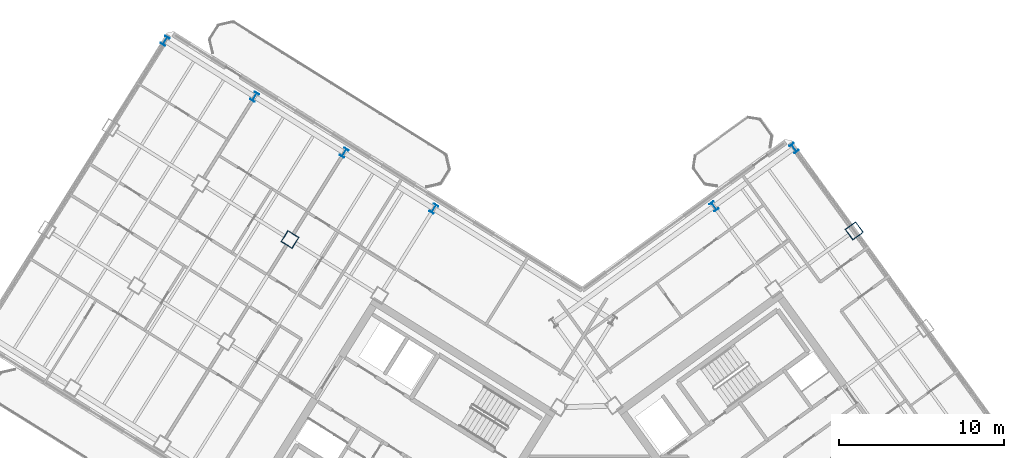
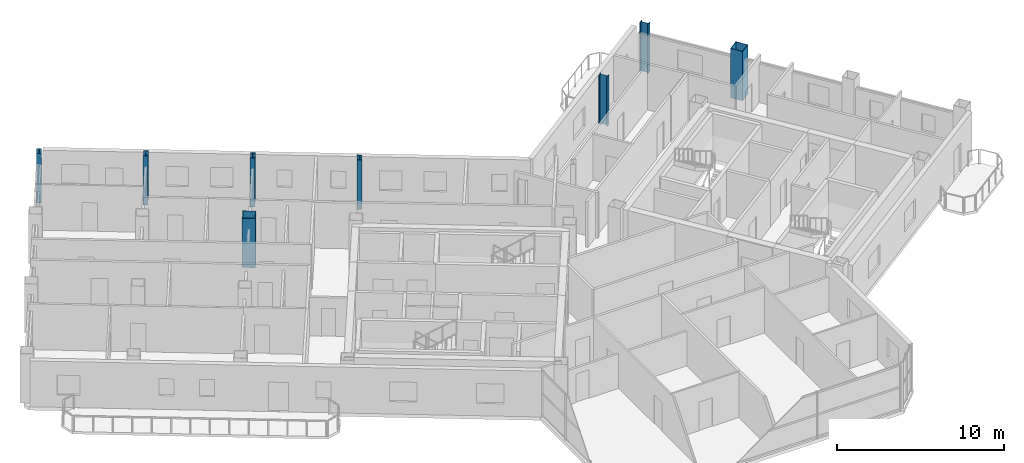
# One storey, part 3 of 21: 8 columns.
"""IFC4 building model written with IfcOpenShell, lengths in metres."""

from ifc_helpers import new_model, si_unit, direction, frame, origin, origin_2d, place, context, subcontext, project, spatial, hollow_rectangle, i_section, extrude, source, transform, mapped, material, material_profile, profile_set, type_object, element, save


model = new_model("IFC4")

# Units and contexts
model_context = context("Model", 3, precision=1e-05, world=origin(), true_north=direction((0.0, 1.0)))
body_context = subcontext(model_context, "Body", "Model", "MODEL_VIEW")
ifc_project = project(units=[si_unit("LENGTHUNIT", "METRE"), si_unit("AREAUNIT", "SQUARE_METRE"), si_unit("VOLUMEUNIT", "CUBIC_METRE"), si_unit("PLANEANGLEUNIT", "RADIAN"), si_unit("MASSUNIT", "GRAM", prefix="KILO")], contexts=[model_context])

# Site, building, storey
site_placement = place(None, origin())
site = spatial("IfcSite", under=ifc_project, at=site_placement, CompositionType="ELEMENT")
building_placement = place(site_placement, origin())
building = spatial("IfcBuilding", under=site, at=building_placement, Name="Tlacorven Tower", CompositionType="ELEMENT")
storey_placement = place(building_placement, frame((0.0, 0.0, 222.0)))
storey = spatial("IfcBuildingStorey", under=building, at=storey_placement, Name="L56", CompositionType="ELEMENT", Elevation=222.0)

# Columns
ifc_material = material(Name="Steel S460M", Category="steel")
ifc_material_profile_1 = material_profile(ifc_material, i_section(OverallWidth=0.300048828125, OverallDepth=0.550048828125, WebThickness=0.014892578125, FlangeThickness=0.029052734375, at=origin_2d()), Name="HEB 550")
ifc_profile_set_1 = profile_set([ifc_material_profile_1], Name="Steel S460M")
column_type_1 = type_object("IfcColumnType", Name="COL-TWR-P2", PredefinedType="COLUMN", material=ifc_profile_set_1)
shared_shape_1 = source(origin(), body_context, "Body", "SweptSolid", [
    extrude(i_section(OverallWidth=0.300048828125, OverallDepth=0.550048828125, WebThickness=0.014892578125, FlangeThickness=0.029052734375, at=origin_2d()), origin(), (0.0, 0.0, 1.0), 3.60009765625),
])
for number, where, z_axis, x_axis, name in (
    (1, (33.21337890625, 36.50927734375, 0.0), (0.0, 0.0, 1.0), (-0.848048096156, 0.529919264233, 0.0), "L56 column COL-L56-W3-1"),
    (2, (27.785888671875, 39.900634765625, 0.0), (0.0, 0.0, 1.0), (-0.848048096156, 0.529919264233, 0.0), "L56 column COL-L56-W4-1"),
    (3, (22.3583984375, 43.292236328125, 0.0), (0.0, 0.0, 1.0), (-0.848048096156, 0.529919264233, 0.0), "L56 column COL-L56-W5-1"),
    (4, (16.930908203125, 46.68359375, 0.0), (0.0, 0.0, 1.0), (-0.848048096156, 0.529919264233, 0.0), "L56 column COL-L56-W6-1"),
    (5, (50.187744140625, 36.654296875, 0.0), (0.0, 0.0, 1.0), (0.809016994375, 0.587785252292, 0.0), "L56 column COL-L56-E3-4"),
    (6, (55.041748046875, 40.18115234375, 0.0), (0.0, 0.0, 1.0), (0.809016994375, 0.587785252292, 0.0), "L56 column COL-L56-E4-4"),
):
    element("IfcColumn", number, at=place(storey_placement, frame(where, z_axis=z_axis, x_axis=x_axis)), inside=storey, type_object=column_type_1, Name=name, PredefinedType="COLUMN", context=body_context, shape_type="MappedRepresentation", body=[
        mapped(shared_shape_1, transform((0.0, 0.0, 0.0), scale=1.0)),
    ])
ifc_material_profile_2 = material_profile(ifc_material, hollow_rectangle(XDim=0.800048828125, YDim=0.800048828125, WallThickness=0.031982421875, at=origin_2d()), Name="BOX 800X800X32")
ifc_profile_set_2 = profile_set([ifc_material_profile_2], Name="Steel S460M")
column_type_2 = type_object("IfcColumnType", Name="COL-TWR-S3", PredefinedType="COLUMN", material=ifc_profile_set_2)
shared_shape_2 = source(origin(), body_context, "Body", "SweptSolid", [
    extrude(hollow_rectangle(XDim=0.800048828125, YDim=0.800048828125, WallThickness=0.031982421875, at=origin_2d()), origin(), (0.0, 0.0, 1.0), 3.60009765625),
])
for number, where, z_axis, x_axis, name in (
    (7, (24.50048828125, 34.642822265625, 0.0), (0.0, 0.0, 1.0), (-0.848048096156, 0.529919264233, 0.0), "L56 column COL-L56-W4-2"),
    (8, (58.68603515625, 35.165283203125, 0.0), (0.0, 0.0, 1.0), (0.809016994375, 0.587785252292, 0.0), "L56 column COL-L56-E4-3"),
):
    element("IfcColumn", number, at=place(storey_placement, frame(where, z_axis=z_axis, x_axis=x_axis)), inside=storey, type_object=column_type_2, Name=name, PredefinedType="COLUMN", context=body_context, shape_type="MappedRepresentation", body=[
        mapped(shared_shape_2, transform((0.0, 0.0, 0.0), scale=1.0)),
    ])

save(model, "model.ifc")
